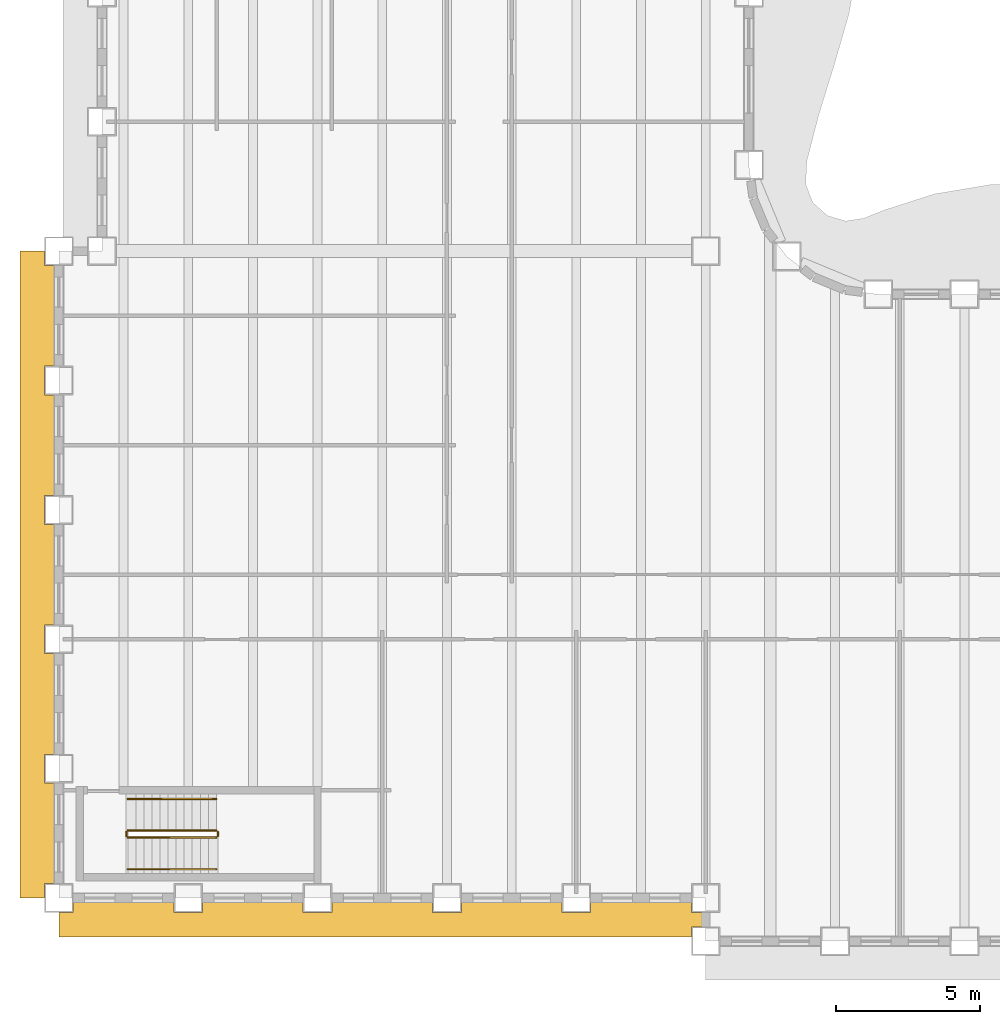
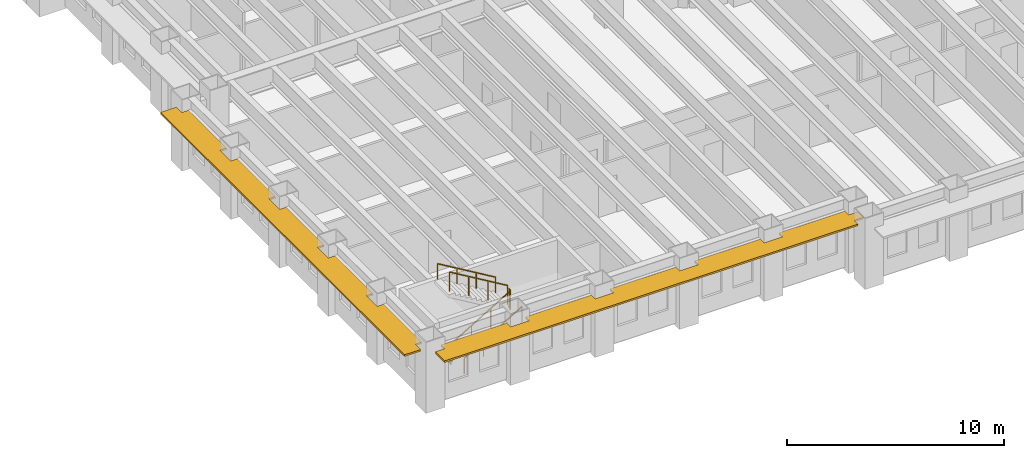
# One storey, part 11 of 16: 6 railings, 2 shading devices.
"""IFC4 building model written with IfcOpenShell, lengths in metres."""

from ifc_helpers import new_model, si_unit, direction, frame, origin, origin_2d, place, context, subcontext, project, spatial, polyline, rectangle, outline, extrude, material, layer, layer_set, type_object, element, save


model = new_model("IFC4")

# Units and contexts
model_context = context("Model", 3, precision=1e-05, world=origin(), true_north=direction((0.0, 1.0)))
body_context = subcontext(model_context, "Body", "Model", "MODEL_VIEW")
ifc_project = project(units=[si_unit("LENGTHUNIT", "METRE"), si_unit("AREAUNIT", "SQUARE_METRE"), si_unit("VOLUMEUNIT", "CUBIC_METRE"), si_unit("PLANEANGLEUNIT", "RADIAN"), si_unit("MASSUNIT", "GRAM", prefix="KILO")], contexts=[model_context])

# Site, building, storey
site_placement = place(None, origin())
site = spatial("IfcSite", under=ifc_project, at=site_placement, CompositionType="ELEMENT")
building_placement = place(site_placement, origin())
building = spatial("IfcBuilding", under=site, at=building_placement, Name="Sennacour Bend Tower", CompositionType="ELEMENT")
storey_placement = place(building_placement, frame((0.0, 0.0, 95.0)))
storey = spatial("IfcBuildingStorey", under=building, at=storey_placement, Name="L21", CompositionType="ELEMENT", Elevation=95.0)

# Railings
ifc_material_1 = material(Name="Stainless steel", Category="steel")
railing_type_1 = type_object("IfcRailingType", Name="RL-GUARD-1100", PredefinedType="GUARDRAIL", material=ifc_material_1)
railing_1_placement = place(storey_placement, frame((2.39990234375, 2.10009765625, 0.166748046875)))
element("IfcRailing", 1, at=railing_1_placement, inside=storey, type_object=railing_type_1, Name="L21 SK1 stair guard 1", PredefinedType="GUARDRAIL", context=body_context, shape_type="SweptSolid", body=[
    extrude(rectangle(XDim=0.048095703125, YDim=0.048095703125, at=origin_2d()), frame((0.0, 0.0, 1.076171875), z_axis=(0.859308565015, 0.0, 0.511457515432), x_axis=(0.0, 1.0, 0.0)), (0.0, 0.0, 1.0), 3.58447265625),
    extrude(rectangle(XDim=0.0419921875, YDim=0.0419921875, at=origin_2d()), origin(), (0.0, 0.0, 1.0), 1.052001953125),
    extrude(rectangle(XDim=0.0419921875, YDim=0.0419921875, at=origin_2d()), frame((1.026611328125, 0.0, 0.611083984375)), (0.0, 0.0, 1.0), 1.052001953125),
    extrude(rectangle(XDim=0.0419921875, YDim=0.0419921875, at=origin_2d()), frame((2.053466796875, 0.0, 1.22216796875)), (0.0, 0.0, 1.0), 1.052001953125),
    extrude(rectangle(XDim=0.0419921875, YDim=0.0419921875, at=origin_2d()), frame((3.080078125, 0.0, 1.833251953125)), (0.0, 0.0, 1.0), 1.052001953125),
])
railing_2_placement = place(storey_placement, frame((5.530029296875, 2.14990234375, 2.0)))
element("IfcRailing", 2, at=railing_2_placement, inside=storey, type_object=railing_type_1, Name="L21 SK1 stair guard 2", PredefinedType="GUARDRAIL", context=body_context, shape_type="SweptSolid", body=[
    extrude(rectangle(XDim=0.048095703125, YDim=0.048095703125, at=origin_2d()), frame((0.0, 0.0, 1.076171875), z_axis=(0.0, 1.0, 0.0), x_axis=(-1.0, 0.0, 0.0)), (0.0, 0.0, 1.0), 0.150146484375),
    extrude(rectangle(XDim=0.0419921875, YDim=0.0419921875, at=origin_2d()), origin(), (0.0, 0.0, 1.0), 1.052001953125),
    extrude(rectangle(XDim=0.0419921875, YDim=0.0419921875, at=origin_2d()), frame((0.0, 0.150146484375, 0.0)), (0.0, 0.0, 1.0), 1.052001953125),
])
railing_3_placement = place(storey_placement, frame((5.47998046875, 2.35009765625, 2.166748046875)))
element("IfcRailing", 3, at=railing_3_placement, inside=storey, type_object=railing_type_1, Name="L21 SK1 stair guard 3", PredefinedType="GUARDRAIL", context=body_context, shape_type="SweptSolid", body=[
    extrude(rectangle(XDim=0.048095703125, YDim=0.048095703125, at=origin_2d()), frame((0.0, 0.0, 1.076171875), z_axis=(-0.859308565015, 0.0, 0.511457515432), x_axis=(0.0, -1.0, 0.0)), (0.0, 0.0, 1.0), 3.58447265625),
    extrude(rectangle(XDim=0.0419921875, YDim=0.0419921875, at=origin_2d()), origin(), (0.0, 0.0, 1.0), 1.052001953125),
    extrude(rectangle(XDim=0.0419921875, YDim=0.0419921875, at=origin_2d()), frame((-1.026611328125, 0.0, 0.611083984375)), (0.0, 0.0, 1.0), 1.052001953125),
    extrude(rectangle(XDim=0.0419921875, YDim=0.0419921875, at=origin_2d()), frame((-2.053466796875, 0.0, 1.22216796875)), (0.0, 0.0, 1.0), 1.052001953125),
    extrude(rectangle(XDim=0.0419921875, YDim=0.0419921875, at=origin_2d()), frame((-3.080078125, 0.0, 1.833251953125)), (0.0, 0.0, 1.0), 1.052001953125),
])
railing_4_placement = place(storey_placement, frame((2.35009765625, 2.14990234375, 0.0)))
element("IfcRailing", 4, at=railing_4_placement, inside=storey, type_object=railing_type_1, Name="L21 SK1 stair guard 4", PredefinedType="GUARDRAIL", context=body_context, shape_type="SweptSolid", body=[
    extrude(rectangle(XDim=0.048095703125, YDim=0.048095703125, at=origin_2d()), frame((0.0, 0.0, 1.076171875), z_axis=(0.0, 1.0, 0.0), x_axis=(-1.0, 0.0, 0.0)), (0.0, 0.0, 1.0), 0.150146484375),
    extrude(rectangle(XDim=0.0419921875, YDim=0.0419921875, at=origin_2d()), origin(), (0.0, 0.0, 1.0), 1.052001953125),
    extrude(rectangle(XDim=0.0419921875, YDim=0.0419921875, at=origin_2d()), frame((0.0, 0.150146484375, 0.0)), (0.0, 0.0, 1.0), 1.052001953125),
])
railing_type_2 = type_object("IfcRailingType", Name="RL-HANDRAIL-900", PredefinedType="HANDRAIL", material=ifc_material_1)
railing_5_placement = place(storey_placement, frame((2.39990234375, 1.0, 0.166748046875)))
element("IfcRailing", 5, at=railing_5_placement, inside=storey, type_object=railing_type_2, Name="L21 SK1 stair handrail 1", PredefinedType="HANDRAIL", context=body_context, shape_type="SweptSolid", body=[
    extrude(rectangle(XDim=0.048095703125, YDim=0.048095703125, at=origin_2d()), frame((0.0, 0.0, 0.8759765625), z_axis=(0.859308565015, 0.0, 0.511457515432), x_axis=(0.0, 1.0, 0.0)), (0.0, 0.0, 1.0), 3.58447265625),
    extrude(rectangle(XDim=0.0419921875, YDim=0.0419921875, at=origin_2d()), origin(), (0.0, 0.0, 1.0), 0.851806640625),
    extrude(rectangle(XDim=0.0419921875, YDim=0.0419921875, at=origin_2d()), frame((1.026611328125, 0.0, 0.611083984375)), (0.0, 0.0, 1.0), 0.851806640625),
    extrude(rectangle(XDim=0.0419921875, YDim=0.0419921875, at=origin_2d()), frame((2.053466796875, 0.0, 1.22216796875)), (0.0, 0.0, 1.0), 0.851806640625),
    extrude(rectangle(XDim=0.0419921875, YDim=0.0419921875, at=origin_2d()), frame((3.080078125, 0.0, 1.833251953125)), (0.0, 0.0, 1.0), 0.851806640625),
])
railing_6_placement = place(storey_placement, frame((5.47998046875, 3.449951171875, 2.166748046875)))
element("IfcRailing", 6, at=railing_6_placement, inside=storey, type_object=railing_type_2, Name="L21 SK1 stair handrail 2", PredefinedType="HANDRAIL", context=body_context, shape_type="SweptSolid", body=[
    extrude(rectangle(XDim=0.048095703125, YDim=0.048095703125, at=origin_2d()), frame((0.0, 0.0, 0.8759765625), z_axis=(-0.859308565015, 0.0, 0.511457515432), x_axis=(0.0, -1.0, 0.0)), (0.0, 0.0, 1.0), 3.58447265625),
    extrude(rectangle(XDim=0.0419921875, YDim=0.0419921875, at=origin_2d()), origin(), (0.0, 0.0, 1.0), 0.851806640625),
    extrude(rectangle(XDim=0.0419921875, YDim=0.0419921875, at=origin_2d()), frame((-1.026611328125, 0.0, 0.611083984375)), (0.0, 0.0, 1.0), 0.851806640625),
    extrude(rectangle(XDim=0.0419921875, YDim=0.0419921875, at=origin_2d()), frame((-2.053466796875, 0.0, 1.22216796875)), (0.0, 0.0, 1.0), 0.851806640625),
    extrude(rectangle(XDim=0.0419921875, YDim=0.0419921875, at=origin_2d()), frame((-3.080078125, 0.0, 1.833251953125)), (0.0, 0.0, 1.0), 0.851806640625),
])

# Shading devices
ifc_material_2 = material(Name="Bronze anodised aluminium", Category="aluminium")
ifc_layer = layer(ifc_material_2, 0.10009765625, Name="Bronze anodised aluminium", Category="aluminium")
ifc_layer_set = layer_set([ifc_layer], Name="Bronze anodised aluminium")
shading_device_type = type_object("IfcShadingDeviceType", Name="SUNSHADE BAND STRAIGHT", PredefinedType="USERDEFINED", material=ifc_layer_set)
shading_device_1_placement = place(storey_placement, frame((0.0, 0.0, 3.053955078125)))
element("IfcShadingDevice", 7, at=shading_device_1_placement, inside=storey, type_object=shading_device_type, Name="Sunshade band L21 K outer face", ObjectType="SUNSHADE", PredefinedType="USERDEFINED", context=body_context, shape_type="SweptSolid", body=[
    extrude(outline(polyline([(-0.14990234375, 18.5), (-0.5, 18.5), (-0.5, 17.5), (-0.14990234375, 17.5), (-0.14990234375, 14.0), (-0.5, 14.0), (-0.5, 13.0), (-0.14990234375, 13.0), (-0.14990234375, 9.5), (-0.5, 9.5), (-0.5, 8.5), (-0.14990234375, 8.5), (-0.14990234375, 5.0), (-0.5, 5.0), (-0.5, 4.0), (-0.14990234375, 4.0), (-0.14990234375, 0.5), (-0.5, 0.5), (-0.5, 0.0), (-1.35009765625, 0.0), (-1.35009765625, 22.5), (-0.5, 22.5), (-0.5, 22.0), (-0.14990234375, 22.0), (-0.14990234375, 18.5)])), origin(), (0.0, 0.0, 1.0), 0.10009765625),
])
shading_device_2_placement = place(storey_placement, frame((0.0, 0.0, 3.053955078125)))
element("IfcShadingDevice", 8, at=shading_device_2_placement, inside=storey, type_object=shading_device_type, Name="Sunshade band L21 K outer face", ObjectType="SUNSHADE", PredefinedType="USERDEFINED", context=body_context, shape_type="SweptSolid", body=[
    extrude(outline(polyline([(4.0, -0.14990234375), (4.0, -0.5), (5.0, -0.5), (5.0, -0.14990234375), (8.5, -0.14990234375), (8.5, -0.5), (9.5, -0.5), (9.5, -0.14990234375), (13.0, -0.14990234375), (13.0, -0.5), (14.0, -0.5), (14.0, -0.14990234375), (17.5, -0.14990234375), (17.5, -0.5), (18.5, -0.5), (18.5, -0.14990234375), (22.0, -0.14990234375), (22.0, -0.5), (22.5, -0.5), (22.5, -1.0), (22.0, -1.0), (22.0, -1.35009765625), (0.0, -1.35009765625), (0.0, -0.5), (0.5, -0.5), (0.5, -0.14990234375), (4.0, -0.14990234375)])), origin(), (0.0, 0.0, 1.0), 0.10009765625),
])

save(model, "model.ifc")
